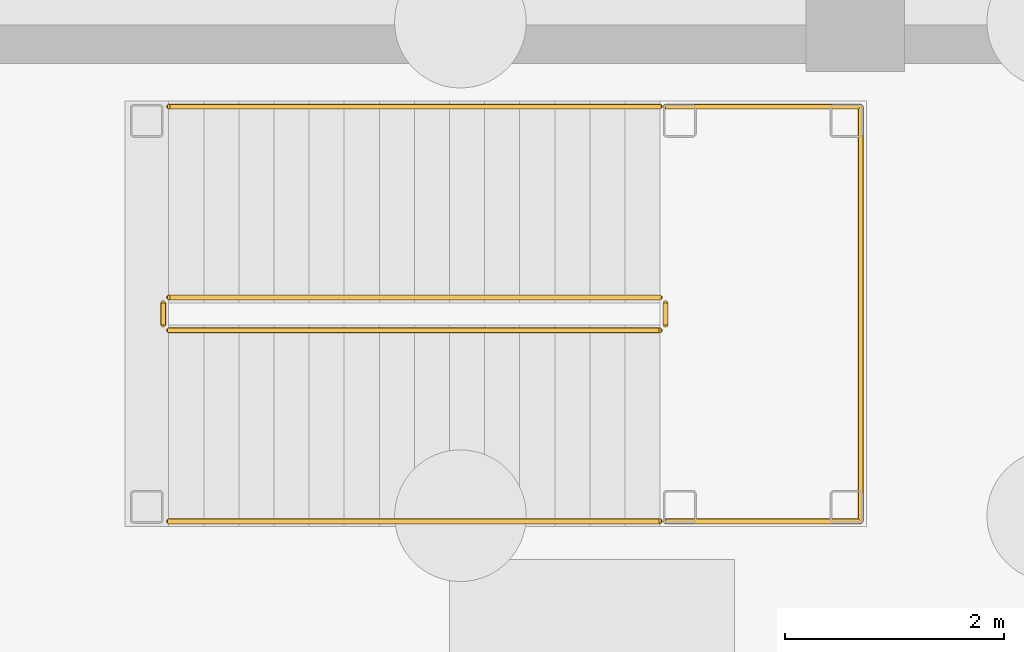
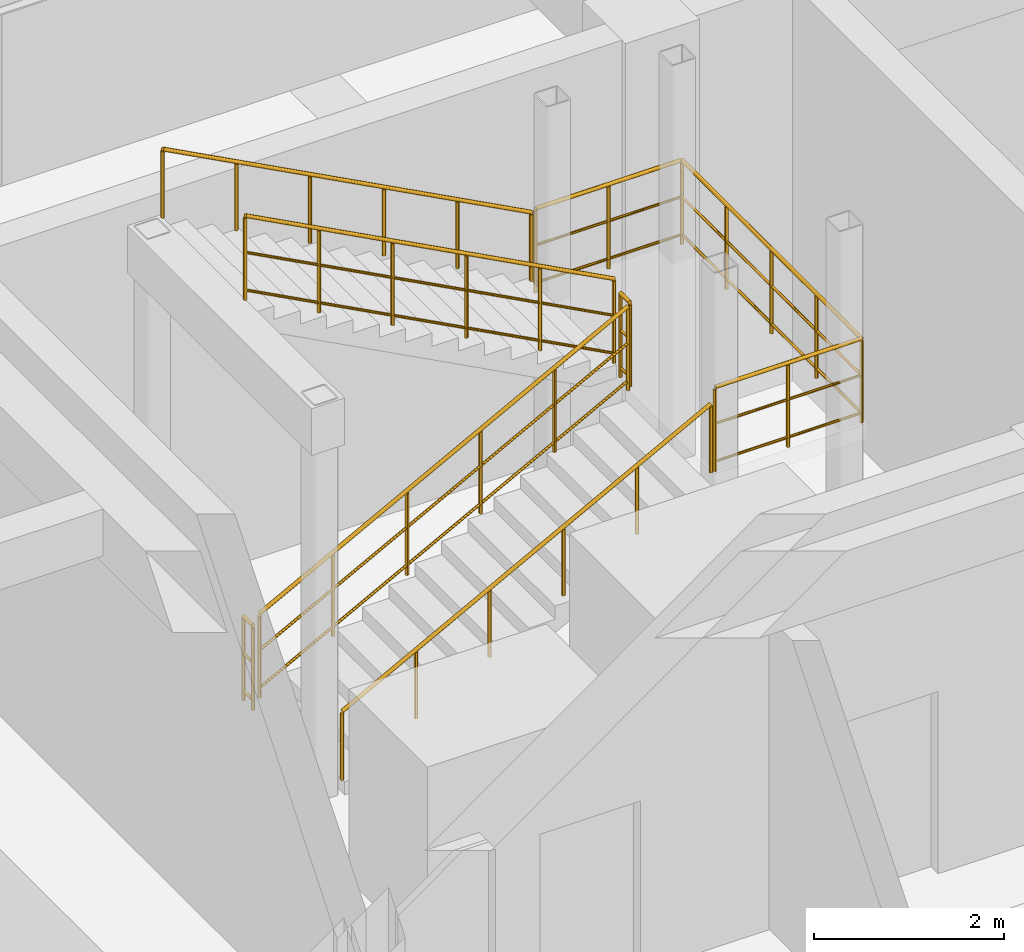
# One storey, part 59 of 62: 7 railings.
"""IFC4 building model written with IfcOpenShell, lengths in metres."""

from ifc_helpers import new_model, si_unit, direction, frame, origin, origin_2d, place, context, subcontext, project, spatial, circle, extrude, material, type_object, element, save


model = new_model("IFC4")

# Units and contexts
model_context = context("Model", 3, precision=1e-05, world=origin(), true_north=direction((0.0, 1.0)))
body_context = subcontext(model_context, "Body", "Model", "MODEL_VIEW")
ifc_project = project(units=[si_unit("LENGTHUNIT", "METRE"), si_unit("AREAUNIT", "SQUARE_METRE"), si_unit("VOLUMEUNIT", "CUBIC_METRE"), si_unit("PLANEANGLEUNIT", "RADIAN"), si_unit("MASSUNIT", "GRAM", prefix="KILO")], contexts=[model_context])

# Site, building, storey
site_placement = place(None, origin())
site = spatial("IfcSite", under=ifc_project, at=site_placement, CompositionType="ELEMENT")
building_placement = place(site_placement, origin())
building = spatial("IfcBuilding", under=site, at=building_placement, Name="Miravela Opera House", CompositionType="ELEMENT")
storey_placement = place(building_placement, frame((0.0, 0.0, -5.10009765625)))
storey = spatial("IfcBuildingStorey", under=building, at=storey_placement, Name="B01", CompositionType="ELEMENT", Elevation=-5.10009765625)

# Railings
ifc_material_1 = material(Name="Brushed bronze continuous stair handrail")
railing_type_1 = type_object("IfcRailingType", Name="ARC-RAIL-HAND-900", PredefinedType="HANDRAIL", material=ifc_material_1)
railing_1_placement = place(storey_placement, frame((110.739990234375, 70.449951171875, 0.170166015625)))
element("IfcRailing", 1, at=railing_1_placement, inside=storey, type_object=railing_type_1, Name="B01 ST-03 stair handrail 1", PredefinedType="HANDRAIL", context=body_context, shape_type="SweptSolid", body=[
    extrude(circle(Radius=0.02392578125, at=origin_2d()), frame((0.0, 0.0, 0.8759765625), z_axis=(0.883124442951, 0.0, 0.469138804899), x_axis=(0.0, 1.0, 0.0)), (0.0, 0.0, 1.0), 5.07275390625),
    extrude(circle(Radius=0.02099609375, at=origin_2d()), origin(), (0.0, 0.0, 1.0), 0.851806640625),
    extrude(circle(Radius=0.02099609375, at=origin_2d()), frame((0.89599609375, 0.0, 0.47607421875)), (0.0, 0.0, 1.0), 0.851806640625),
    extrude(circle(Radius=0.02099609375, at=origin_2d()), frame((1.7919921875, 0.0, 0.951904296875)), (0.0, 0.0, 1.0), 0.851806640625),
    extrude(circle(Radius=0.02099609375, at=origin_2d()), frame((2.68798828125, 0.0, 1.427978515625)), (0.0, 0.0, 1.0), 0.851806640625),
    extrude(circle(Radius=0.02099609375, at=origin_2d()), frame((3.583984375, 0.0, 1.90380859375)), (0.0, 0.0, 1.0), 0.851806640625),
    extrude(circle(Radius=0.02099609375, at=origin_2d()), frame((4.47998046875, 0.0, 2.3798828125)), (0.0, 0.0, 1.0), 0.851806640625),
])
railing_2_placement = place(storey_placement, frame((115.219970703125, 74.22998046875, 2.72021484375)))
element("IfcRailing", 2, at=railing_2_placement, inside=storey, type_object=railing_type_1, Name="B01 ST-03 stair handrail 2", PredefinedType="HANDRAIL", context=body_context, shape_type="SweptSolid", body=[
    extrude(circle(Radius=0.02392578125, at=origin_2d()), frame((0.0, 0.0, 0.8759765625), z_axis=(-0.883124442951, 0.0, 0.469138804899), x_axis=(0.0, -1.0, 0.0)), (0.0, 0.0, 1.0), 5.07275390625),
    extrude(circle(Radius=0.02099609375, at=origin_2d()), origin(), (0.0, 0.0, 1.0), 0.851806640625),
    extrude(circle(Radius=0.02099609375, at=origin_2d()), frame((-0.89599609375, 0.0, 0.47607421875)), (0.0, 0.0, 1.0), 0.851806640625),
    extrude(circle(Radius=0.02099609375, at=origin_2d()), frame((-1.7919921875, 0.0, 0.951904296875)), (0.0, 0.0, 1.0), 0.851806640625),
    extrude(circle(Radius=0.02099609375, at=origin_2d()), frame((-2.68798828125, 0.0, 1.427978515625)), (0.0, 0.0, 1.0), 0.851806640625),
    extrude(circle(Radius=0.02099609375, at=origin_2d()), frame((-3.583984375, 0.0, 1.90380859375)), (0.0, 0.0, 1.0), 0.851806640625),
    extrude(circle(Radius=0.02099609375, at=origin_2d()), frame((-4.47998046875, 0.0, 2.3798828125)), (0.0, 0.0, 1.0), 0.851806640625),
])
ifc_material_2 = material(Name="Painted wrought-iron stair guardrail")
railing_type_2 = type_object("IfcRailingType", Name="ARC-RAIL-STAIR-GUARD", PredefinedType="GUARDRAIL", material=ifc_material_2)
railing_3_placement = place(storey_placement, frame((110.739990234375, 72.18994140625, 0.170166015625)))
element("IfcRailing", 3, at=railing_3_placement, inside=storey, type_object=railing_type_2, Name="B01 ST-03 stair guard 1", PredefinedType="GUARDRAIL", context=body_context, shape_type="SweptSolid", body=[
    extrude(circle(Radius=0.02392578125, at=origin_2d()), frame((0.0, 0.0, 1.076171875), z_axis=(0.883124442951, 0.0, 0.469138804899), x_axis=(0.0, 1.0, 0.0)), (0.0, 0.0, 1.0), 5.07275390625),
    extrude(circle(Radius=0.01611328125, at=origin_2d()), frame((0.0, 0.0, 0.60498046875), z_axis=(0.883124442951, 0.0, 0.469138804899), x_axis=(0.0, 1.0, 0.0)), (0.0, 0.0, 1.0), 5.07275390625),
    extrude(circle(Radius=0.01611328125, at=origin_2d()), frame((0.0, 0.0, 0.1201171875), z_axis=(0.883124442951, 0.0, 0.469138804899), x_axis=(0.0, 1.0, 0.0)), (0.0, 0.0, 1.0), 5.07275390625),
    extrude(circle(Radius=0.02099609375, at=origin_2d()), origin(), (0.0, 0.0, 1.0), 1.052001953125),
    extrude(circle(Radius=0.02099609375, at=origin_2d()), frame((0.89599609375, 0.0, 0.47607421875)), (0.0, 0.0, 1.0), 1.052001953125),
    extrude(circle(Radius=0.02099609375, at=origin_2d()), frame((1.7919921875, 0.0, 0.951904296875)), (0.0, 0.0, 1.0), 1.052001953125),
    extrude(circle(Radius=0.02099609375, at=origin_2d()), frame((2.68798828125, 0.0, 1.427978515625)), (0.0, 0.0, 1.0), 1.052001953125),
    extrude(circle(Radius=0.02099609375, at=origin_2d()), frame((3.583984375, 0.0, 1.90380859375)), (0.0, 0.0, 1.0), 1.052001953125),
    extrude(circle(Radius=0.02099609375, at=origin_2d()), frame((4.47998046875, 0.0, 2.3798828125)), (0.0, 0.0, 1.0), 1.052001953125),
])
railing_4_placement = place(storey_placement, frame((115.27001953125, 72.239990234375, 2.550048828125)))
element("IfcRailing", 4, at=railing_4_placement, inside=storey, type_object=railing_type_2, Name="B01 ST-03 stair guard 2", PredefinedType="GUARDRAIL", context=body_context, shape_type="SweptSolid", body=[
    extrude(circle(Radius=0.02392578125, at=origin_2d()), frame((0.0, 0.0, 1.076171875), z_axis=(0.0, 1.0, 0.0), x_axis=(-1.0, 0.0, 0.0)), (0.0, 0.0, 1.0), 0.199951171875),
    extrude(circle(Radius=0.01611328125, at=origin_2d()), frame((0.0, 0.0, 0.60498046875), z_axis=(0.0, 1.0, 0.0), x_axis=(-1.0, 0.0, 0.0)), (0.0, 0.0, 1.0), 0.199951171875),
    extrude(circle(Radius=0.01611328125, at=origin_2d()), frame((0.0, 0.0, 0.1201171875), z_axis=(0.0, 1.0, 0.0), x_axis=(-1.0, 0.0, 0.0)), (0.0, 0.0, 1.0), 0.199951171875),
    extrude(circle(Radius=0.02099609375, at=origin_2d()), origin(), (0.0, 0.0, 1.0), 1.052001953125),
    extrude(circle(Radius=0.02099609375, at=origin_2d()), frame((0.0, 0.199951171875, 0.0)), (0.0, 0.0, 1.0), 1.052001953125),
])
railing_5_placement = place(storey_placement, frame((115.219970703125, 72.489990234375, 2.72021484375)))
element("IfcRailing", 5, at=railing_5_placement, inside=storey, type_object=railing_type_2, Name="B01 ST-03 stair guard 3", PredefinedType="GUARDRAIL", context=body_context, shape_type="SweptSolid", body=[
    extrude(circle(Radius=0.02392578125, at=origin_2d()), frame((0.0, 0.0, 1.076171875), z_axis=(-0.883124442951, 0.0, 0.469138804899), x_axis=(0.0, -1.0, 0.0)), (0.0, 0.0, 1.0), 5.07275390625),
    extrude(circle(Radius=0.01611328125, at=origin_2d()), frame((0.0, 0.0, 0.60498046875), z_axis=(-0.883124442951, 0.0, 0.469138804899), x_axis=(0.0, -1.0, 0.0)), (0.0, 0.0, 1.0), 5.07275390625),
    extrude(circle(Radius=0.01611328125, at=origin_2d()), frame((0.0, 0.0, 0.1201171875), z_axis=(-0.883124442951, 0.0, 0.469138804899), x_axis=(0.0, -1.0, 0.0)), (0.0, 0.0, 1.0), 5.07275390625),
    extrude(circle(Radius=0.02099609375, at=origin_2d()), origin(), (0.0, 0.0, 1.0), 1.052001953125),
    extrude(circle(Radius=0.02099609375, at=origin_2d()), frame((-0.89599609375, 0.0, 0.47607421875)), (0.0, 0.0, 1.0), 1.052001953125),
    extrude(circle(Radius=0.02099609375, at=origin_2d()), frame((-1.7919921875, 0.0, 0.951904296875)), (0.0, 0.0, 1.0), 1.052001953125),
    extrude(circle(Radius=0.02099609375, at=origin_2d()), frame((-2.68798828125, 0.0, 1.427978515625)), (0.0, 0.0, 1.0), 1.052001953125),
    extrude(circle(Radius=0.02099609375, at=origin_2d()), frame((-3.583984375, 0.0, 1.90380859375)), (0.0, 0.0, 1.0), 1.052001953125),
    extrude(circle(Radius=0.02099609375, at=origin_2d()), frame((-4.47998046875, 0.0, 2.3798828125)), (0.0, 0.0, 1.0), 1.052001953125),
])
railing_6_placement = place(storey_placement, frame((110.68994140625, 72.239990234375, 0.0)))
element("IfcRailing", 6, at=railing_6_placement, inside=storey, type_object=railing_type_2, Name="B01 ST-03 stair guard 4", PredefinedType="GUARDRAIL", context=body_context, shape_type="SweptSolid", body=[
    extrude(circle(Radius=0.02392578125, at=origin_2d()), frame((0.0, 0.0, 1.076171875), z_axis=(0.0, 1.0, 0.0), x_axis=(-1.0, 0.0, 0.0)), (0.0, 0.0, 1.0), 0.199951171875),
    extrude(circle(Radius=0.01611328125, at=origin_2d()), frame((0.0, 0.0, 0.60498046875), z_axis=(0.0, 1.0, 0.0), x_axis=(-1.0, 0.0, 0.0)), (0.0, 0.0, 1.0), 0.199951171875),
    extrude(circle(Radius=0.01611328125, at=origin_2d()), frame((0.0, 0.0, 0.1201171875), z_axis=(0.0, 1.0, 0.0), x_axis=(-1.0, 0.0, 0.0)), (0.0, 0.0, 1.0), 0.199951171875),
    extrude(circle(Radius=0.02099609375, at=origin_2d()), origin(), (0.0, 0.0, 1.0), 1.052001953125),
    extrude(circle(Radius=0.02099609375, at=origin_2d()), frame((0.0, 0.199951171875, 0.0)), (0.0, 0.0, 1.0), 1.052001953125),
])
railing_7_placement = place(storey_placement, frame((115.27001953125, 70.449951171875, 2.550048828125)))
element("IfcRailing", 7, at=railing_7_placement, inside=storey, type_object=railing_type_2, Name="Stair ST-03 Half-Landing Perimeter Guard (B01) 0025", PredefinedType="GUARDRAIL", context=body_context, shape_type="SweptSolid", body=[
    extrude(circle(Radius=0.02392578125, at=origin_2d()), frame((0.0, 0.0, 1.076171875), z_axis=(1.0, 0.0, 0.0), x_axis=(0.0, 1.0, 0.0)), (0.0, 0.0, 1.0), 1.780029296875),
    extrude(circle(Radius=0.01611328125, at=origin_2d()), frame((0.0, 0.0, 0.60498046875), z_axis=(1.0, 0.0, 0.0), x_axis=(0.0, 1.0, 0.0)), (0.0, 0.0, 1.0), 1.780029296875),
    extrude(circle(Radius=0.01611328125, at=origin_2d()), frame((0.0, 0.0, 0.1201171875), z_axis=(1.0, 0.0, 0.0), x_axis=(0.0, 1.0, 0.0)), (0.0, 0.0, 1.0), 1.780029296875),
    extrude(circle(Radius=0.02392578125, at=origin_2d()), frame((1.780029296875, 0.0, 1.076171875), z_axis=(0.0, 1.0, 0.0), x_axis=(-1.0, 0.0, 0.0)), (0.0, 0.0, 1.0), 3.780029296875),
    extrude(circle(Radius=0.01611328125, at=origin_2d()), frame((1.780029296875, 0.0, 0.60498046875), z_axis=(0.0, 1.0, 0.0), x_axis=(-1.0, 0.0, 0.0)), (0.0, 0.0, 1.0), 3.780029296875),
    extrude(circle(Radius=0.01611328125, at=origin_2d()), frame((1.780029296875, 0.0, 0.1201171875), z_axis=(0.0, 1.0, 0.0), x_axis=(-1.0, 0.0, 0.0)), (0.0, 0.0, 1.0), 3.780029296875),
    extrude(circle(Radius=0.02392578125, at=origin_2d()), frame((1.780029296875, 3.780029296875, 1.076171875), z_axis=(-1.0, 0.0, 0.0), x_axis=(0.0, -1.0, 0.0)), (0.0, 0.0, 1.0), 1.780029296875),
    extrude(circle(Radius=0.01611328125, at=origin_2d()), frame((1.780029296875, 3.780029296875, 0.60498046875), z_axis=(-1.0, 0.0, 0.0), x_axis=(0.0, -1.0, 0.0)), (0.0, 0.0, 1.0), 1.780029296875),
    extrude(circle(Radius=0.01611328125, at=origin_2d()), frame((1.780029296875, 3.780029296875, 0.1201171875), z_axis=(-1.0, 0.0, 0.0), x_axis=(0.0, -1.0, 0.0)), (0.0, 0.0, 1.0), 1.780029296875),
    extrude(circle(Radius=0.02099609375, at=origin_2d()), origin(), (0.0, 0.0, 1.0), 1.052001953125),
    extrude(circle(Radius=0.02099609375, at=origin_2d()), frame((0.89013671875, 0.0, 0.0)), (0.0, 0.0, 1.0), 1.052001953125),
    extrude(circle(Radius=0.02099609375, at=origin_2d()), frame((1.780029296875, 0.0, 0.0)), (0.0, 0.0, 1.0), 1.052001953125),
    extrude(circle(Radius=0.02099609375, at=origin_2d()), frame((1.780029296875, 0.945068359375, 0.0)), (0.0, 0.0, 1.0), 1.052001953125),
    extrude(circle(Radius=0.02099609375, at=origin_2d()), frame((1.780029296875, 1.89013671875, 0.0)), (0.0, 0.0, 1.0), 1.052001953125),
    extrude(circle(Radius=0.02099609375, at=origin_2d()), frame((1.780029296875, 2.8349609375, 0.0)), (0.0, 0.0, 1.0), 1.052001953125),
    extrude(circle(Radius=0.02099609375, at=origin_2d()), frame((1.780029296875, 3.780029296875, 0.0)), (0.0, 0.0, 1.0), 1.052001953125),
    extrude(circle(Radius=0.02099609375, at=origin_2d()), frame((0.89013671875, 3.780029296875, 0.0)), (0.0, 0.0, 1.0), 1.052001953125),
    extrude(circle(Radius=0.02099609375, at=origin_2d()), frame((0.0, 3.780029296875, 0.0)), (0.0, 0.0, 1.0), 1.052001953125),
])

save(model, "model.ifc")
